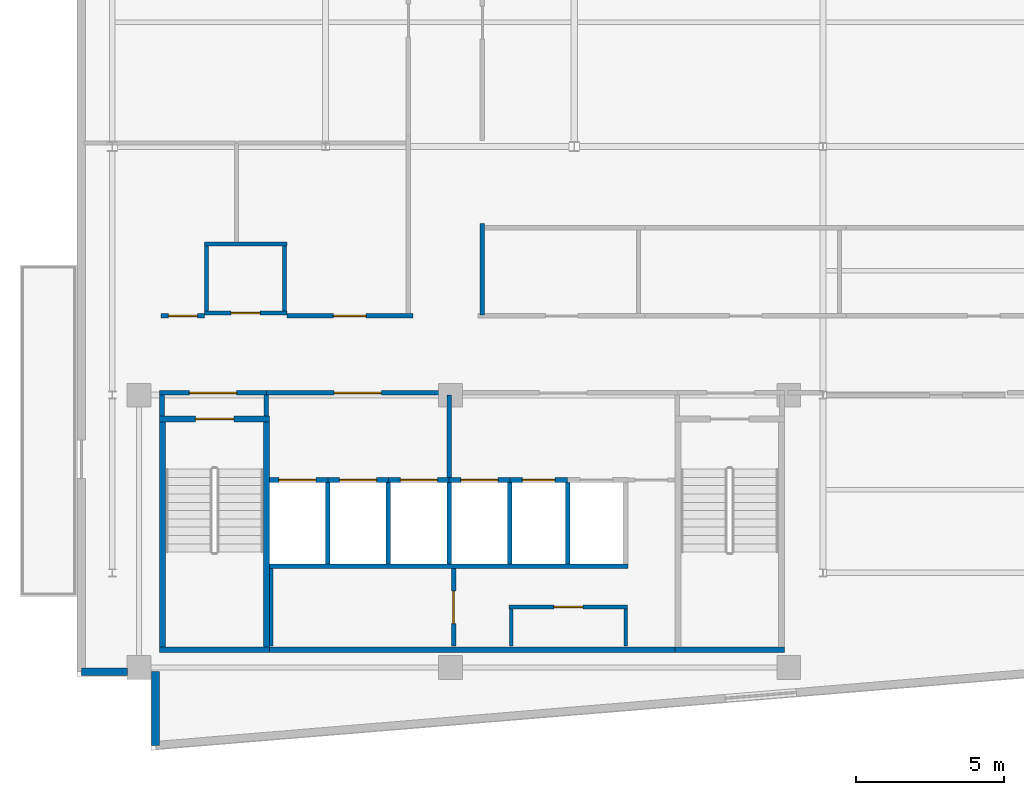
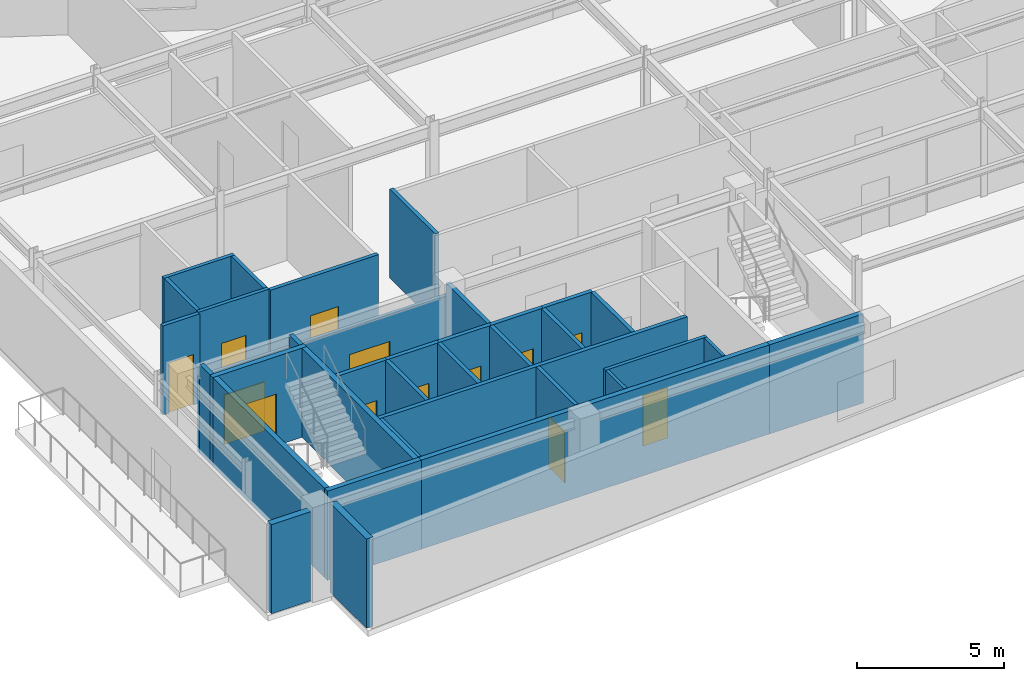
# One storey, part 14 of 19: 36 walls, 13 doors, 13 openings.
"""IFC4 building model written with IfcOpenShell, lengths in metres."""

from ifc_helpers import new_model, si_unit, direction, frame, frame_2d, origin, place, context, subcontext, project, spatial, rectangle, extrude, material, layer, layer_set, type_object, element, fill, save


model = new_model("IFC4")

# Units and contexts
model_context = context("Model", 3, precision=1e-05, world=origin(), true_north=direction((0.0, 1.0)))
body_context = subcontext(model_context, "Body", "Model", "MODEL_VIEW")
ifc_project = project(units=[si_unit("LENGTHUNIT", "METRE"), si_unit("AREAUNIT", "SQUARE_METRE"), si_unit("VOLUMEUNIT", "CUBIC_METRE"), si_unit("PLANEANGLEUNIT", "RADIAN"), si_unit("MASSUNIT", "GRAM", prefix="KILO")], contexts=[model_context])

# Site, building, storey
site_placement = place(None, origin())
site = spatial("IfcSite", under=ifc_project, at=site_placement, CompositionType="ELEMENT")
building_placement = place(site_placement, origin())
building = spatial("IfcBuilding", under=site, at=building_placement, Name="Varnakote Quay Hospital", CompositionType="ELEMENT")
storey_placement = place(building_placement, frame((0.0, 0.0, 240.75)))
storey = spatial("IfcBuildingStorey", under=building, at=storey_placement, Name="L59", CompositionType="ELEMENT", Elevation=240.75)

# Wall
ifc_material_1 = material(Name="Fire-rated acoustic gypsum stud wall", Category="gypsum")
ifc_layer_1 = layer(ifc_material_1, 0.159912109375)
ifc_layer_set_1 = layer_set([ifc_layer_1], Name="Fire-rated acoustic gypsum stud wall")
wall_type_1 = type_object("IfcWallType", Name="WL-COMP-160", PredefinedType="PARTITIONING", material=ifc_layer_set_1)
wall_1_placement = place(storey_placement, frame((2.8798828125, 11.300048828125, 0.0), z_axis=(0.0, 0.0, 1.0), x_axis=(0.0, 1.0, 0.0)))
element("IfcWall", 1, at=wall_1_placement, inside=storey, type_object=wall_type_1, Name="L59 West Stair Vestibule West Wall", PredefinedType="PARTITIONING", context=body_context, shape_type="SweptSolid", body=[
    extrude(rectangle(XDim=0.699951171875, YDim=0.159912109375, at=frame_2d((0.35009765625, 0.0))), origin(), (0.0, 0.0, 1.0), 3.7099609375),
])

# Wall, opening, door
wall_2_placement = place(storey_placement, frame((2.800048828125, 12.080078125, 0.0), z_axis=(0.0, 0.0, 1.0), x_axis=(1.0, 0.0, 0.0)))
wall_2 = element("IfcWall", 2, at=wall_2_placement, inside=storey, type_object=wall_type_1, Name="L59 West Stair Vestibule Smoke Wall", PredefinedType="PARTITIONING", context=body_context, shape_type="SweptSolid", body=[
    extrude(rectangle(XDim=3.599853515625, YDim=0.159912109375, at=frame_2d((1.7998046875, 0.0))), origin(), (0.0, 0.0, 1.0), 3.156982421875),
])
opening_1_placement = place(wall_2_placement, frame((1.0, 0.0, 0.0)))
opening_1 = element("IfcOpeningElement", 3, at=opening_1_placement, cuts=wall_2, Name="Opening D-ST1L-L59", PredefinedType="OPENING", context=body_context, shape_type="SweptSolid", body=[
    extrude(rectangle(XDim=1.60009765625, YDim=2.050048828125, at=frame_2d((0.800048828125, 1.02490234375))), frame((0.0, 0.08984375, 0.0), z_axis=(0.0, -1.0, 0.0), x_axis=(1.0, 0.0, 0.0)), (0.0, 0.0, 1.0), 0.179931640625),
])
ifc_material_2 = material(Name="Fire-rated double smoke lobby door")
door_type_1 = type_object("IfcDoorType", Name="DR-LOBBY-FD60S-1600x2150", OperationType="NOTDEFINED", PredefinedType="DOOR", material=ifc_material_2)
door_1_placement = place(opening_1_placement, origin())
door_1 = element("IfcDoor", 4, at=door_1_placement, inside=storey, type_object=door_type_1, Name="L59 West Stair Vestibule Smoke Door", OperationType="DOUBLE_DOOR_SINGLE_SWING", OverallHeight=2.050048828125, OverallWidth=1.60009765625, PredefinedType="DOOR", context=body_context, shape_type="SweptSolid", body=[
    extrude(rectangle(XDim=1.60009765625, YDim=2.050048828125, at=frame_2d((0.800048828125, 1.02490234375))), frame((0.0, 0.02490234375, 0.0), z_axis=(0.0, -1.0, 0.0), x_axis=(1.0, 0.0, 0.0)), (0.0, 0.0, 1.0), 0.050048828125),
])
fill(opening_1, door_1)

# Wall
wall_3_placement = place(storey_placement, frame((6.39990234375, 11.300048828125, 0.0), z_axis=(0.0, 0.0, 1.0), x_axis=(0.0, 1.0, 0.0)))
element("IfcWall", 5, at=wall_3_placement, inside=storey, type_object=wall_type_1, Name="L59 Firefighting Lobby West Wall", PredefinedType="PARTITIONING", context=body_context, shape_type="SweptSolid", body=[
    extrude(rectangle(XDim=0.699951171875, YDim=0.159912109375, at=frame_2d((0.35009765625, 0.0))), origin(), (0.0, 0.0, 1.0), 3.7099609375),
])

# Wall, opening, door
wall_4_placement = place(storey_placement, frame((6.39990234375, 12.080078125, 0.0), z_axis=(0.0, 0.0, 1.0), x_axis=(1.0, 0.0, 0.0)))
wall_4 = element("IfcWall", 6, at=wall_4_placement, inside=storey, type_object=wall_type_1, Name="L59 Firefighting Lift Lobby Compartment Wall", PredefinedType="PARTITIONING", context=body_context, shape_type="SweptSolid", body=[
    extrude(rectangle(XDim=6.18017578125, YDim=0.159912109375, at=frame_2d((3.090087890625, 0.0))), origin(), (0.0, 0.0, 1.0), 3.156982421875),
])
opening_2_placement = place(wall_4_placement, frame((2.2900390625, 0.0, 0.0)))
opening_2 = element("IfcOpeningElement", 7, at=opening_2_placement, cuts=wall_4, Name="Opening D-FFL-L59", PredefinedType="OPENING", context=body_context, shape_type="SweptSolid", body=[
    extrude(rectangle(XDim=1.60009765625, YDim=2.050048828125, at=frame_2d((0.800048828125, 1.02490234375))), frame((0.0, 0.08984375, 0.0), z_axis=(0.0, -1.0, 0.0), x_axis=(1.0, 0.0, 0.0)), (0.0, 0.0, 1.0), 0.179931640625),
])
door_2_placement = place(opening_2_placement, origin())
door_2 = element("IfcDoor", 8, at=door_2_placement, inside=storey, type_object=door_type_1, Name="L59 Firefighting Smoke Vestibule Door", OperationType="DOUBLE_DOOR_SINGLE_SWING", OverallHeight=2.050048828125, OverallWidth=1.60009765625, PredefinedType="DOOR", context=body_context, shape_type="SweptSolid", body=[
    extrude(rectangle(XDim=1.60009765625, YDim=2.050048828125, at=frame_2d((0.800048828125, 1.02490234375))), frame((0.0, 0.02490234375, 0.0), z_axis=(0.0, -1.0, 0.0), x_axis=(1.0, 0.0, 0.0)), (0.0, 0.0, 1.0), 0.050048828125),
])
fill(opening_2, door_2)

# Walls
wall_5_placement = place(storey_placement, frame((12.580078125, 9.2099609375, 0.0), z_axis=(0.0, 0.0, 1.0), x_axis=(0.0, 1.0, 0.0)))
element("IfcWall", 9, at=wall_5_placement, inside=storey, type_object=wall_type_1, Name="L59 Firefighting to Service Lobby Wall", PredefinedType="PARTITIONING", context=body_context, shape_type="SweptSolid", body=[
    extrude(rectangle(XDim=2.7900390625, YDim=0.159912109375, at=frame_2d((1.39501953125, 0.0))), origin(), (0.0, 0.0, 1.0), 3.7099609375),
])
ifc_material_3 = material(Name="Concrete N50 (f'c 50 MPa)", Category="concrete")
ifc_layer_2 = layer(ifc_material_3, 0.199951171875)
ifc_layer_set_2 = layer_set([ifc_layer_2], Name="Concrete N50 (f'c 50 MPa)")
wall_type_2 = type_object("IfcWallType", Name="WL-CORE-N50-200", PredefinedType="SHEAR", material=ifc_layer_set_2)
wall_6_placement = place(storey_placement, frame((6.5, 3.39990234375, 0.0), z_axis=(0.0, 0.0, 1.0), x_axis=(1.0, 0.0, 0.0)))
element("IfcWall", 10, at=wall_6_placement, inside=storey, type_object=wall_type_2, Name="L59 Rear Core South Shear Wall", PredefinedType="SHEAR", context=body_context, shape_type="SweptSolid", body=[
    extrude(rectangle(XDim=13.699951171875, YDim=0.199951171875, at=frame_2d((6.85009765625, 0.0))), origin(), (0.0, 0.0, 1.0), 3.7099609375),
])
ifc_material_4 = material(Name="Precast concrete N50 (f'c 50 MPa)", Category="concrete")
ifc_layer_3 = layer(ifc_material_4, 0.260009765625)
ifc_layer_set_3 = layer_set([ifc_layer_3], Name="Precast concrete N50 (f'c 50 MPa)")
wall_type_3 = type_object("IfcWallType", Name="WL-EXT-BRICK-260", PredefinedType="STANDARD", material=ifc_layer_set_3)
wall_7_placement = place(storey_placement, frame((2.659912109375, 2.659912109375, 0.0), z_axis=(0.0, 0.0, 1.0), x_axis=(0.0, -1.0, 0.0)))
element("IfcWall", 11, at=wall_7_placement, inside=storey, type_object=wall_type_3, Name="L59 Brick-Faced Precast Exterior Wall", PredefinedType="STANDARD", context=body_context, shape_type="SweptSolid", body=[
    extrude(rectangle(XDim=2.486328125, YDim=0.260009765625, at=frame_2d((1.2431640625, 0.0))), origin(), (0.0, 0.0, 1.0), 3.7099609375),
])
wall_8_placement = place(storey_placement, frame((0.159912109375, 2.659912109375, 0.0), z_axis=(0.0, 0.0, 1.0), x_axis=(1.0, 0.0, 0.0)))
element("IfcWall", 12, at=wall_8_placement, inside=storey, type_object=wall_type_3, Name="L59 Brick-Faced Precast Exterior Wall", PredefinedType="STANDARD", context=body_context, shape_type="SweptSolid", body=[
    extrude(rectangle(XDim=1.55517578125, YDim=0.260009765625, at=frame_2d((0.777587890625, 0.0))), origin(), (0.0, 0.0, 1.0), 3.7099609375),
])
ifc_material_5 = material(Name="Concrete N50 (f'c 50 MPa)", Category="concrete")
ifc_layer_4 = layer(ifc_material_5, 0.14990234375)
ifc_layer_set_4 = layer_set([ifc_layer_4], Name="Concrete N50 (f'c 50 MPa)")
wall_type_4 = type_object("IfcWallType", Name="WL-SHAFT-N50-150", PredefinedType="SHEAR", material=ifc_layer_set_4)
for number, where, z_axis, x_axis, name in (
    (13, (8.47509765625, 6.300048828125, 0.0), (0.0, 0.0, 1.0), (0.0, 1.0, 0.0), "L59 LF-FF1 Hoistway Divider Wall"),
    (14, (10.52490234375, 6.300048828125, 0.0), (0.0, 0.0, 1.0), (0.0, 1.0, 0.0), "L59 LF-FF2 Hoistway Divider Wall"),
    (15, (12.574951171875, 6.300048828125, 0.0), (0.0, 0.0, 1.0), (0.0, 1.0, 0.0), "L59 LF-SV1 Hoistway Divider Wall"),
    (16, (14.625, 6.300048828125, 0.0), (0.0, 0.0, 1.0), (0.0, 1.0, 0.0), "L59 LF-SV2 Hoistway Divider Wall"),
    (17, (16.574951171875, 6.300048828125, 0.0), (0.0, 0.0, 1.0), (0.0, 1.0, 0.0), "L59 LF-PH1 Hoistway Divider Wall"),
):
    element("IfcWall", number, at=place(storey_placement, frame(where, z_axis=z_axis, x_axis=x_axis)), inside=storey, type_object=wall_type_4, Name=name, PredefinedType="SHEAR", context=body_context, shape_type="SweptSolid", body=[
        extrude(rectangle(XDim=2.75, YDim=0.14990234375, at=frame_2d((1.375, 0.0))), origin(), (0.0, 0.0, 1.0), 3.7099609375),
    ])
ifc_material_6 = material(Name="Concrete N50 (f'c 50 MPa)", Category="concrete")
ifc_layer_5 = layer(ifc_material_6, 0.159912109375)
ifc_layer_set_5 = layer_set([ifc_layer_5], Name="Concrete N50 (f'c 50 MPa)")
wall_type_5 = type_object("IfcWallType", Name="WL-SHAFT-N50-160", PredefinedType="SHEAR", material=ifc_layer_set_5)
wall_9_placement = place(storey_placement, frame((6.5, 6.219970703125, 0.0), z_axis=(0.0, 0.0, 1.0), x_axis=(1.0, 0.0, 0.0)))
element("IfcWall", 18, at=wall_9_placement, inside=storey, type_object=wall_type_5, Name="L59 REAR Lift Bank Back Shear Wall", PredefinedType="SHEAR", context=body_context, shape_type="SweptSolid", body=[
    extrude(rectangle(XDim=12.110107421875, YDim=0.159912109375, at=frame_2d((6.05517578125, 0.0))), origin(), (0.0, 0.0, 1.0), 3.7099609375),
])

# Wall, opening, door
wall_10_placement = place(storey_placement, frame((6.5, 9.1298828125, 0.0), z_axis=(0.0, 0.0, 1.0), x_axis=(1.0, 0.0, 0.0)))
wall_10 = element("IfcWall", 19, at=wall_10_placement, inside=storey, type_object=wall_type_5, Name="L59 LF-FF1 Hoistway Front Wall", PredefinedType="SHEAR", context=body_context, shape_type="SweptSolid", body=[
    extrude(rectangle(XDim=1.97509765625, YDim=0.159912109375, at=frame_2d((0.987548828125, 0.0))), origin(), (0.0, 0.0, 1.0), 3.7099609375),
])
opening_3_placement = place(wall_10_placement, frame((0.324951171875, 0.0, 0.0)))
opening_3 = element("IfcOpeningElement", 20, at=opening_3_placement, cuts=wall_10, Name="Opening LD-FF1-L59", PredefinedType="OPENING", context=body_context, shape_type="SweptSolid", body=[
    extrude(rectangle(XDim=1.25, YDim=2.14990234375, at=frame_2d((0.625, 1.074951171875))), frame((0.0, 0.08984375, 0.0), z_axis=(0.0, -1.0, 0.0), x_axis=(1.0, 0.0, 0.0)), (0.0, 0.0, 1.0), 0.179931640625),
])
ifc_material_7 = material(Name="Stainless steel lift landing sliding door", Category="steel")
door_type_2 = type_object("IfcDoorType", Name="DR-LIFT-LD-1250x2150", OperationType="NOTDEFINED", PredefinedType="DOOR", material=ifc_material_7)
door_3_placement = place(opening_3_placement, origin())
door_3 = element("IfcDoor", 21, at=door_3_placement, inside=storey, type_object=door_type_2, Name="L59 LF-FF1 Lift Landing Sliding Door", OperationType="SLIDING_TO_LEFT", OverallHeight=2.14990234375, OverallWidth=1.25, PredefinedType="DOOR", context=body_context, shape_type="SweptSolid", body=[
    extrude(rectangle(XDim=1.25, YDim=2.14990234375, at=frame_2d((0.625, 1.074951171875))), frame((0.0, 0.02490234375, 0.0), z_axis=(0.0, -1.0, 0.0), x_axis=(1.0, 0.0, 0.0)), (0.0, 0.0, 1.0), 0.050048828125),
])
fill(opening_3, door_3)

wall_11_placement = place(storey_placement, frame((8.47509765625, 9.1298828125, 0.0), z_axis=(0.0, 0.0, 1.0), x_axis=(1.0, 0.0, 0.0)))
wall_11 = element("IfcWall", 22, at=wall_11_placement, inside=storey, type_object=wall_type_5, Name="L59 LF-FF2 Hoistway Front Wall", PredefinedType="SHEAR", context=body_context, shape_type="SweptSolid", body=[
    extrude(rectangle(XDim=2.0498046875, YDim=0.159912109375, at=frame_2d((1.02490234375, 0.0))), origin(), (0.0, 0.0, 1.0), 3.7099609375),
])
opening_4_placement = place(wall_11_placement, frame((0.39990234375, 0.0, 0.0)))
opening_4 = element("IfcOpeningElement", 23, at=opening_4_placement, cuts=wall_11, Name="Opening LD-FF2-L59", PredefinedType="OPENING", context=body_context, shape_type="SweptSolid", body=[
    extrude(rectangle(XDim=1.25, YDim=2.14990234375, at=frame_2d((0.625, 1.074951171875))), frame((0.0, 0.08984375, 0.0), z_axis=(0.0, -1.0, 0.0), x_axis=(1.0, 0.0, 0.0)), (0.0, 0.0, 1.0), 0.179931640625),
])
door_4_placement = place(opening_4_placement, origin())
door_4 = element("IfcDoor", 24, at=door_4_placement, inside=storey, type_object=door_type_2, Name="L59 LF-FF2 Lift Landing Sliding Door", OperationType="SLIDING_TO_LEFT", OverallHeight=2.14990234375, OverallWidth=1.25, PredefinedType="DOOR", context=body_context, shape_type="SweptSolid", body=[
    extrude(rectangle(XDim=1.25, YDim=2.14990234375, at=frame_2d((0.625, 1.074951171875))), frame((0.0, 0.02490234375, 0.0), z_axis=(0.0, -1.0, 0.0), x_axis=(1.0, 0.0, 0.0)), (0.0, 0.0, 1.0), 0.050048828125),
])
fill(opening_4, door_4)

wall_12_placement = place(storey_placement, frame((10.52490234375, 9.1298828125, 0.0), z_axis=(0.0, 0.0, 1.0), x_axis=(1.0, 0.0, 0.0)))
wall_12 = element("IfcWall", 25, at=wall_12_placement, inside=storey, type_object=wall_type_5, Name="L59 LF-SV1 Hoistway Front Wall", PredefinedType="SHEAR", context=body_context, shape_type="SweptSolid", body=[
    extrude(rectangle(XDim=2.050048828125, YDim=0.159912109375, at=frame_2d((1.02490234375, 0.0))), origin(), (0.0, 0.0, 1.0), 3.7099609375),
])
opening_5_placement = place(wall_12_placement, frame((0.39990234375, 0.0, 0.0)))
opening_5 = element("IfcOpeningElement", 26, at=opening_5_placement, cuts=wall_12, Name="Opening LD-SV1-L59", PredefinedType="OPENING", context=body_context, shape_type="SweptSolid", body=[
    extrude(rectangle(XDim=1.25, YDim=2.14990234375, at=frame_2d((0.625, 1.074951171875))), frame((0.0, 0.08984375, 0.0), z_axis=(0.0, -1.0, 0.0), x_axis=(1.0, 0.0, 0.0)), (0.0, 0.0, 1.0), 0.179931640625),
])
door_5_placement = place(opening_5_placement, origin())
door_5 = element("IfcDoor", 27, at=door_5_placement, inside=storey, type_object=door_type_2, Name="L59 LF-SV1 Lift Landing Sliding Door", OperationType="SLIDING_TO_LEFT", OverallHeight=2.14990234375, OverallWidth=1.25, PredefinedType="DOOR", context=body_context, shape_type="SweptSolid", body=[
    extrude(rectangle(XDim=1.25, YDim=2.14990234375, at=frame_2d((0.625, 1.074951171875))), frame((0.0, 0.02490234375, 0.0), z_axis=(0.0, -1.0, 0.0), x_axis=(1.0, 0.0, 0.0)), (0.0, 0.0, 1.0), 0.050048828125),
])
fill(opening_5, door_5)

wall_13_placement = place(storey_placement, frame((12.574951171875, 9.1298828125, 0.0), z_axis=(0.0, 0.0, 1.0), x_axis=(1.0, 0.0, 0.0)))
wall_13 = element("IfcWall", 28, at=wall_13_placement, inside=storey, type_object=wall_type_5, Name="L59 LF-SV2 Hoistway Front Wall", PredefinedType="SHEAR", context=body_context, shape_type="SweptSolid", body=[
    extrude(rectangle(XDim=2.050048828125, YDim=0.159912109375, at=frame_2d((1.02490234375, 0.0))), origin(), (0.0, 0.0, 1.0), 3.7099609375),
])
opening_6_placement = place(wall_13_placement, frame((0.39990234375, 0.0, 0.0)))
opening_6 = element("IfcOpeningElement", 29, at=opening_6_placement, cuts=wall_13, Name="Opening LD-SV2-L59", PredefinedType="OPENING", context=body_context, shape_type="SweptSolid", body=[
    extrude(rectangle(XDim=1.25, YDim=2.14990234375, at=frame_2d((0.625, 1.074951171875))), frame((0.0, 0.08984375, 0.0), z_axis=(0.0, -1.0, 0.0), x_axis=(1.0, 0.0, 0.0)), (0.0, 0.0, 1.0), 0.179931640625),
])
door_6_placement = place(opening_6_placement, origin())
door_6 = element("IfcDoor", 30, at=door_6_placement, inside=storey, type_object=door_type_2, Name="L59 LF-SV2 Lift Landing Sliding Door", OperationType="SLIDING_TO_LEFT", OverallHeight=2.14990234375, OverallWidth=1.25, PredefinedType="DOOR", context=body_context, shape_type="SweptSolid", body=[
    extrude(rectangle(XDim=1.25, YDim=2.14990234375, at=frame_2d((0.625, 1.074951171875))), frame((0.0, 0.02490234375, 0.0), z_axis=(0.0, -1.0, 0.0), x_axis=(1.0, 0.0, 0.0)), (0.0, 0.0, 1.0), 0.050048828125),
])
fill(opening_6, door_6)

wall_14_placement = place(storey_placement, frame((14.625, 9.1298828125, 0.0), z_axis=(0.0, 0.0, 1.0), x_axis=(1.0, 0.0, 0.0)))
wall_14 = element("IfcWall", 31, at=wall_14_placement, inside=storey, type_object=wall_type_5, Name="L59 LF-PH1 Hoistway Front Wall", PredefinedType="SHEAR", context=body_context, shape_type="SweptSolid", body=[
    extrude(rectangle(XDim=1.949951171875, YDim=0.159912109375, at=frame_2d((0.97509765625, 0.0))), origin(), (0.0, 0.0, 1.0), 3.7099609375),
])
opening_7_placement = place(wall_14_placement, frame((0.425048828125, 0.0, 0.0)))
opening_7 = element("IfcOpeningElement", 32, at=opening_7_placement, cuts=wall_14, Name="Opening LD-PH1-L59", PredefinedType="OPENING", context=body_context, shape_type="SweptSolid", body=[
    extrude(rectangle(XDim=1.10009765625, YDim=2.14990234375, at=frame_2d((0.550048828125, 1.074951171875))), frame((0.0, 0.08984375, 0.0), z_axis=(0.0, -1.0, 0.0), x_axis=(1.0, 0.0, 0.0)), (0.0, 0.0, 1.0), 0.179931640625),
])
ifc_material_8 = material(Name="Brushed bronze lift landing sliding door")
door_type_3 = type_object("IfcDoorType", Name="DR-LIFT-LD-1100x2150", OperationType="NOTDEFINED", PredefinedType="DOOR", material=ifc_material_8)
door_7_placement = place(opening_7_placement, origin())
door_7 = element("IfcDoor", 33, at=door_7_placement, inside=storey, type_object=door_type_3, Name="L59 LF-PH1 Lift Landing Sliding Door", OperationType="SLIDING_TO_LEFT", OverallHeight=2.14990234375, OverallWidth=1.10009765625, PredefinedType="DOOR", context=body_context, shape_type="SweptSolid", body=[
    extrude(rectangle(XDim=1.10009765625, YDim=2.14990234375, at=frame_2d((0.550048828125, 1.074951171875))), frame((0.0, 0.02490234375, 0.0), z_axis=(0.0, -1.0, 0.0), x_axis=(1.0, 0.0, 0.0)), (0.0, 0.0, 1.0), 0.050048828125),
])
fill(opening_7, door_7)

# Walls
ifc_material_9 = material(Name="Concrete N50 (f'c 50 MPa)", Category="concrete")
ifc_layer_6 = layer(ifc_material_9, 0.199951171875)
ifc_layer_set_6 = layer_set([ifc_layer_6], Name="Concrete N50 (f'c 50 MPa)")
wall_type_6 = type_object("IfcWallType", Name="WL-SHAFT-N50-200", PredefinedType="SHEAR", material=ifc_layer_set_6)
wall_15_placement = place(storey_placement, frame((2.800048828125, 3.39990234375, 0.0), z_axis=(0.0, 0.0, 1.0), x_axis=(1.0, 0.0, 0.0)))
element("IfcWall", 34, at=wall_15_placement, inside=storey, type_object=wall_type_6, Name="L59 Stair ST1 South Shaft Wall", PredefinedType="SHEAR", context=body_context, shape_type="SweptSolid", body=[
    extrude(rectangle(XDim=3.699951171875, YDim=0.199951171875, at=frame_2d((1.85009765625, 0.0))), origin(), (0.0, 0.0, 1.0), 3.7099609375),
])
for number, where, z_axis, x_axis, name in (
    (35, (2.89990234375, 3.5, 0.0), (0.0, 0.0, 1.0), (0.0, 1.0, 0.0), "L59 Stair ST1 West Shaft Wall"),
    (36, (6.39990234375, 3.5, 0.0), (0.0, 0.0, 1.0), (0.0, 1.0, 0.0), "L59 Stair ST1 East Shaft Wall"),
):
    element("IfcWall", number, at=place(storey_placement, frame(where, z_axis=z_axis, x_axis=x_axis)), inside=storey, type_object=wall_type_6, Name=name, PredefinedType="SHEAR", context=body_context, shape_type="SweptSolid", body=[
        extrude(rectangle(XDim=7.60009765625, YDim=0.199951171875, at=frame_2d((3.800048828125, 0.0))), origin(), (0.0, 0.0, 1.0), 3.7099609375),
    ])

# Wall, opening, door
wall_16_placement = place(storey_placement, frame((2.800048828125, 11.199951171875, 0.0), z_axis=(0.0, 0.0, 1.0), x_axis=(1.0, 0.0, 0.0)))
wall_16 = element("IfcWall", 37, at=wall_16_placement, inside=storey, type_object=wall_type_6, Name="L59 Stair ST1 Exit Wall", PredefinedType="SHEAR", context=body_context, shape_type="SweptSolid", body=[
    extrude(rectangle(XDim=3.699951171875, YDim=0.199951171875, at=frame_2d((1.85009765625, 0.0))), origin(), (0.0, 0.0, 1.0), 3.7099609375),
])
opening_8_placement = place(wall_16_placement, frame((1.199951171875, 0.0, 0.0)))
opening_8 = element("IfcOpeningElement", 38, at=opening_8_placement, cuts=wall_16, Name="Opening D-ST1-L59", PredefinedType="OPENING", context=body_context, shape_type="SweptSolid", body=[
    extrude(rectangle(XDim=1.300048828125, YDim=2.14990234375, at=frame_2d((0.64990234375, 1.074951171875))), frame((0.0, 0.10986328125, 0.0), z_axis=(0.0, -1.0, 0.0), x_axis=(1.0, 0.0, 0.0)), (0.0, 0.0, 1.0), 0.219970703125),
])
ifc_material_10 = material(Name="Fire-rated ceramic-glazed timber exit door", Category="wood")
door_type_4 = type_object("IfcDoorType", Name="DR-STAIR-FD60S-1300x2150", OperationType="NOTDEFINED", PredefinedType="DOOR", material=ifc_material_10)
door_8_placement = place(opening_8_placement, origin())
door_8 = element("IfcDoor", 39, at=door_8_placement, inside=storey, type_object=door_type_4, Name="L59 Stair ST1 Fire Exit Door", OperationType="SINGLE_SWING_LEFT", OverallHeight=2.14990234375, OverallWidth=1.300048828125, PredefinedType="DOOR", context=body_context, shape_type="SweptSolid", body=[
    extrude(rectangle(XDim=1.300048828125, YDim=2.14990234375, at=frame_2d((0.64990234375, 1.074951171875))), frame((0.0, 0.02490234375, 0.0), z_axis=(0.0, -1.0, 0.0), x_axis=(1.0, 0.0, 0.0)), (0.0, 0.0, 1.0), 0.050048828125),
])
fill(opening_8, door_8)

# Walls
wall_17_placement = place(storey_placement, frame((20.199951171875, 3.39990234375, 0.0), z_axis=(0.0, 0.0, 1.0), x_axis=(1.0, 0.0, 0.0)))
element("IfcWall", 40, at=wall_17_placement, inside=storey, type_object=wall_type_6, Name="L59 Stair ST2 South Shaft Wall", PredefinedType="SHEAR", context=body_context, shape_type="SweptSolid", body=[
    extrude(rectangle(XDim=3.699951171875, YDim=0.199951171875, at=frame_2d((1.85009765625, 0.0))), origin(), (0.0, 0.0, 1.0), 3.7099609375),
])
ifc_material_11 = material(Name="Smoke-proof clinical partition", Category="gypsum")
ifc_layer_7 = layer(ifc_material_11, 0.1201171875)
ifc_layer_set_7 = layer_set([ifc_layer_7], Name="Smoke-proof clinical partition")
wall_type_7 = type_object("IfcWallType", Name="WL-SMOKE-120", PredefinedType="PARTITIONING", material=ifc_layer_set_7)
wall_18_placement = place(storey_placement, frame((6.56005859375, 3.52001953125, 0.0), z_axis=(0.0, 0.0, 1.0), x_axis=(0.0, 1.0, 0.0)))
element("IfcWall", 41, at=wall_18_placement, inside=storey, type_object=wall_type_7, Name="L59 Core West Store West Wall", PredefinedType="PARTITIONING", context=body_context, shape_type="SweptSolid", body=[
    extrude(rectangle(XDim=2.619873046875, YDim=0.1201171875, at=frame_2d((1.31005859375, 0.0))), origin(), (0.0, 0.0, 1.0), 3.7099609375),
])
for number, where, z_axis, x_axis, name in (
    (42, (14.669921875, 3.52001953125, 0.0), (0.0, 0.0, 1.0), (0.0, 1.0, 0.0), "L59 Core WC West Wall"),
    (43, (18.5400390625, 3.52001953125, 0.0), (0.0, 0.0, 1.0), (0.0, 1.0, 0.0), "L59 Core WC East Wall"),
):
    element("IfcWall", number, at=place(storey_placement, frame(where, z_axis=z_axis, x_axis=x_axis)), inside=storey, type_object=wall_type_7, Name=name, PredefinedType="PARTITIONING", context=body_context, shape_type="SweptSolid", body=[
        extrude(rectangle(XDim=1.260009765625, YDim=0.1201171875, at=frame_2d((0.6298828125, 0.0))), origin(), (0.0, 0.0, 1.0), 3.7099609375),
    ])

# Wall, opening, door
ifc_material_12 = material(Name="Fire-rated clinical gypsum partition", Category="gypsum")
ifc_layer_8 = layer(ifc_material_12, 0.139892578125)
ifc_layer_set_8 = layer_set([ifc_layer_8], Name="Fire-rated clinical gypsum partition")
wall_type_8 = type_object("IfcWallType", Name="WL-WARD-140", PredefinedType="PARTITIONING", material=ifc_layer_set_8)
wall_19_placement = place(storey_placement, frame((12.72998046875, 3.52001953125, 0.0), z_axis=(0.0, 0.0, 1.0), x_axis=(0.0, 1.0, 0.0)))
wall_19 = element("IfcWall", 44, at=wall_19_placement, inside=storey, type_object=wall_type_8, Name="L59 Core Clean Equipment Store East Wall", PredefinedType="PARTITIONING", context=body_context, shape_type="SweptSolid", body=[
    extrude(rectangle(XDim=2.619873046875, YDim=0.139892578125, at=frame_2d((1.31005859375, 0.0))), origin(), (0.0, 0.0, 1.0), 3.7099609375),
])
opening_9_placement = place(wall_19_placement, frame((0.760009765625, 0.0, 0.0)))
opening_9 = element("IfcOpeningElement", 45, at=opening_9_placement, cuts=wall_19, Name="Opening D-L59-CR01", PredefinedType="OPENING", context=body_context, shape_type="SweptSolid", body=[
    extrude(rectangle(XDim=1.10009765625, YDim=2.10009765625, at=frame_2d((0.550048828125, 1.050048828125))), frame((0.0, 0.079833984375, 0.0), z_axis=(0.0, -1.0, 0.0), x_axis=(1.0, 0.0, 0.0)), (0.0, 0.0, 1.0), 0.159912109375),
])
ifc_material_13 = material(Name="Acoustic timber clinical consult door", Category="wood")
door_type_5 = type_object("IfcDoorType", Name="DR-CLIN-FD30S-1100x2100", OperationType="NOTDEFINED", PredefinedType="DOOR", material=ifc_material_13)
door_9_placement = place(opening_9_placement, origin())
door_9 = element("IfcDoor", 46, at=door_9_placement, inside=storey, type_object=door_type_5, Name="L59 Core Clean Equipment Store Door", OperationType="SINGLE_SWING_LEFT", OverallHeight=2.10009765625, OverallWidth=1.10009765625, PredefinedType="DOOR", context=body_context, shape_type="SweptSolid", body=[
    extrude(rectangle(XDim=1.10009765625, YDim=2.10009765625, at=frame_2d((0.550048828125, 1.050048828125))), frame((0.0, 0.02490234375, 0.0), z_axis=(0.0, -1.0, 0.0), x_axis=(1.0, 0.0, 0.0)), (0.0, 0.0, 1.0), 0.050048828125),
])
fill(opening_9, door_9)

wall_20_placement = place(storey_placement, frame((14.60009765625, 4.85009765625, 0.0), z_axis=(0.0, 0.0, 1.0), x_axis=(1.0, 0.0, 0.0)))
wall_20 = element("IfcWall", 47, at=wall_20_placement, inside=storey, type_object=wall_type_8, Name="L59 Core Staff Sanitary WC North Wall", PredefinedType="PARTITIONING", context=body_context, shape_type="SweptSolid", body=[
    extrude(rectangle(XDim=4.0, YDim=0.139892578125, at=frame_2d((2.0, 0.0))), origin(), (0.0, 0.0, 1.0), 3.7099609375),
])
opening_10_placement = place(wall_20_placement, frame((1.510009765625, 0.0, 0.0)))
opening_10 = element("IfcOpeningElement", 48, at=opening_10_placement, cuts=wall_20, Name="Opening D-L59-CR02", PredefinedType="OPENING", context=body_context, shape_type="SweptSolid", body=[
    extrude(rectangle(XDim=0.97998046875, YDim=2.10009765625, at=frame_2d((0.489990234375, 1.050048828125))), frame((0.0, 0.079833984375, 0.0), z_axis=(0.0, -1.0, 0.0), x_axis=(1.0, 0.0, 0.0)), (0.0, 0.0, 1.0), 0.159912109375),
])
ifc_material_14 = material(Name="Accessible sanitary compartment door")
door_type_6 = type_object("IfcDoorType", Name="DR-WC-980x2100", OperationType="NOTDEFINED", PredefinedType="DOOR", material=ifc_material_14)
door_10_placement = place(opening_10_placement, origin())
door_10 = element("IfcDoor", 49, at=door_10_placement, inside=storey, type_object=door_type_6, Name="L59 Core Staff Sanitary WC Door", OperationType="SINGLE_SWING_RIGHT", OverallHeight=2.10009765625, OverallWidth=0.97998046875, PredefinedType="DOOR", context=body_context, shape_type="SweptSolid", body=[
    extrude(rectangle(XDim=0.97998046875, YDim=2.10009765625, at=frame_2d((0.489990234375, 1.050048828125))), frame((0.0, 0.02490234375, 0.0), z_axis=(0.0, -1.0, 0.0), x_axis=(1.0, 0.0, 0.0)), (0.0, 0.0, 1.0), 0.050048828125),
])
fill(opening_10, door_10)

wall_21_placement = place(storey_placement, frame((4.31005859375, 14.77001953125, 0.0), z_axis=(0.0, 0.0, 1.0), x_axis=(1.0, 0.0, 0.0)))
wall_21 = element("IfcWall", 50, at=wall_21_placement, inside=storey, type_object=wall_type_8, Name="L59 Floor Unisex Accessible WC S Wall", PredefinedType="PARTITIONING", context=body_context, shape_type="SweptSolid", body=[
    extrude(rectangle(XDim=2.780029296875, YDim=0.139892578125, at=frame_2d((1.39013671875, 0.0))), origin(), (0.0, 0.0, 1.0), 3.7099609375),
])
opening_11_placement = place(wall_21_placement, frame((0.89990234375, 0.0, 0.0)))
opening_11 = element("IfcOpeningElement", 51, at=opening_11_placement, cuts=wall_21, Name="Opening D-L59-EW01", PredefinedType="OPENING", context=body_context, shape_type="SweptSolid", body=[
    extrude(rectangle(XDim=0.97998046875, YDim=2.10009765625, at=frame_2d((0.489990234375, 1.050048828125))), frame((0.0, 0.079833984375, 0.0), z_axis=(0.0, -1.0, 0.0), x_axis=(1.0, 0.0, 0.0)), (0.0, 0.0, 1.0), 0.159912109375),
])
door_11_placement = place(opening_11_placement, origin())
door_11 = element("IfcDoor", 52, at=door_11_placement, inside=storey, type_object=door_type_6, Name="L59 Floor Unisex Accessible WC Door", OperationType="SINGLE_SWING_RIGHT", OverallHeight=2.10009765625, OverallWidth=0.97998046875, PredefinedType="DOOR", context=body_context, shape_type="SweptSolid", body=[
    extrude(rectangle(XDim=0.97998046875, YDim=2.10009765625, at=frame_2d((0.489990234375, 1.050048828125))), frame((0.0, 0.02490234375, 0.0), z_axis=(0.0, -1.0, 0.0), x_axis=(1.0, 0.0, 0.0)), (0.0, 0.0, 1.0), 0.050048828125),
])
fill(opening_11, door_11)

# Walls
wall_22_placement = place(storey_placement, frame((4.31005859375, 17.110107421875, 0.0), z_axis=(0.0, 0.0, 1.0), x_axis=(1.0, 0.0, 0.0)))
element("IfcWall", 53, at=wall_22_placement, inside=storey, type_object=wall_type_8, Name="L59 Floor Unisex Accessible WC N Wall", PredefinedType="PARTITIONING", context=body_context, shape_type="SweptSolid", body=[
    extrude(rectangle(XDim=2.780029296875, YDim=0.139892578125, at=frame_2d((1.39013671875, 0.0))), origin(), (0.0, 0.0, 1.0), 3.7099609375),
])
for number, where, z_axis, x_axis, name in (
    (54, (4.3798828125, 14.840087890625, 0.0), (0.0, 0.0, 1.0), (0.0, 1.0, 0.0), "L59 Floor Unisex Accessible WC W Wall"),
    (55, (7.02001953125, 14.840087890625, 0.0), (0.0, 0.0, 1.0), (0.0, 1.0, 0.0), "L59 Floor Unisex Accessible WC E Wall"),
):
    element("IfcWall", number, at=place(storey_placement, frame(where, z_axis=z_axis, x_axis=x_axis)), inside=storey, type_object=wall_type_8, Name=name, PredefinedType="PARTITIONING", context=body_context, shape_type="SweptSolid", body=[
        extrude(rectangle(XDim=2.199951171875, YDim=0.139892578125, at=frame_2d((1.10009765625, 0.0))), origin(), (0.0, 0.0, 1.0), 3.7099609375),
    ])

# Wall, opening, door
ifc_material_15 = material(Name="Fire-rated clinical gypsum partition", Category="gypsum")
ifc_layer_9 = layer(ifc_material_15, 0.14990234375)
ifc_layer_set_9 = layer_set([ifc_layer_9], Name="Fire-rated clinical gypsum partition")
wall_type_9 = type_object("IfcWallType", Name="WL-WARD-150", PredefinedType="PARTITIONING", material=ifc_layer_set_9)
wall_23_placement = place(storey_placement, frame((4.30810546875, 14.679931640625, 0.0), z_axis=(0.0, 0.0, 1.0), x_axis=(-1.0, 0.0, 0.0)))
wall_23 = element("IfcWall", 56, at=wall_23_placement, inside=storey, type_object=wall_type_9, Name="L59 Clinical Interior Partition", PredefinedType="PARTITIONING", context=body_context, shape_type="SweptSolid", body=[
    extrude(rectangle(XDim=1.4580078125, YDim=0.14990234375, at=frame_2d((0.72900390625, 0.0))), origin(), (0.0, 0.0, 1.0), 3.7099609375),
])
opening_12_placement = place(wall_23_placement, frame((0.239013671875, 0.0, 0.0)))
opening_12 = element("IfcOpeningElement", 57, at=opening_12_placement, cuts=wall_23, Name="Opening D-L59-DLNG", PredefinedType="OPENING", context=body_context, shape_type="SweptSolid", body=[
    extrude(rectangle(XDim=0.97998046875, YDim=2.10009765625, at=frame_2d((0.489990234375, 1.050048828125))), frame((0.0, 0.0849609375, 0.0), z_axis=(0.0, -1.0, 0.0), x_axis=(1.0, 0.0, 0.0)), (0.0, 0.0, 1.0), 0.169921875),
])
door_12_placement = place(opening_12_placement, origin())
door_12 = element("IfcDoor", 58, at=door_12_placement, inside=storey, type_object=door_type_6, Name="L59 Waterfront Patient & Family Dayroom Door", OperationType="SINGLE_SWING_RIGHT", OverallHeight=2.10009765625, OverallWidth=0.97998046875, PredefinedType="DOOR", context=body_context, shape_type="SweptSolid", body=[
    extrude(rectangle(XDim=0.97998046875, YDim=2.10009765625, at=frame_2d((0.489990234375, 1.050048828125))), frame((0.0, 0.02490234375, 0.0), z_axis=(0.0, -1.0, 0.0), x_axis=(1.0, 0.0, 0.0)), (0.0, 0.0, 1.0), 0.050048828125),
])
fill(opening_12, door_12)

wall_24_placement = place(storey_placement, frame((11.345947265625, 14.679931640625, 0.0), z_axis=(0.0, 0.0, 1.0), x_axis=(-1.0, 0.0, 0.0)))
wall_24 = element("IfcWall", 59, at=wall_24_placement, inside=storey, type_object=wall_type_9, Name="L59 Clinical Interior Partition", PredefinedType="PARTITIONING", context=body_context, shape_type="SweptSolid", body=[
    extrude(rectangle(XDim=4.25390625, YDim=0.14990234375, at=frame_2d((2.126953125, 0.0))), origin(), (0.0, 0.0, 1.0), 3.7099609375),
])
opening_13_placement = place(wall_24_placement, frame((1.576904296875, 0.0, 0.0)))
opening_13 = element("IfcOpeningElement", 60, at=opening_13_placement, cuts=wall_24, Name="Opening D-L59-MD01", PredefinedType="OPENING", context=body_context, shape_type="SweptSolid", body=[
    extrude(rectangle(XDim=1.10009765625, YDim=2.10009765625, at=frame_2d((0.550048828125, 1.050048828125))), frame((0.0, 0.0849609375, 0.0), z_axis=(0.0, -1.0, 0.0), x_axis=(1.0, 0.0, 0.0)), (0.0, 0.0, 1.0), 0.169921875),
])
door_13_placement = place(opening_13_placement, origin())
door_13 = element("IfcDoor", 61, at=door_13_placement, inside=storey, type_object=door_type_5, Name="L59 Multidisciplinary Clinical Consultation Suite Door", OperationType="SINGLE_SWING_LEFT", OverallHeight=2.10009765625, OverallWidth=1.10009765625, PredefinedType="DOOR", context=body_context, shape_type="SweptSolid", body=[
    extrude(rectangle(XDim=1.10009765625, YDim=2.10009765625, at=frame_2d((0.550048828125, 1.050048828125))), frame((0.0, 0.02490234375, 0.0), z_axis=(0.0, -1.0, 0.0), x_axis=(1.0, 0.0, 0.0)), (0.0, 0.0, 1.0), 0.050048828125),
])
fill(opening_13, door_13)

# Wall
wall_25_placement = place(storey_placement, frame((13.699951171875, 14.699951171875, 0.0), z_axis=(0.0, 0.0, 1.0), x_axis=(0.0, 1.0, 0.0)))
element("IfcWall", 62, at=wall_25_placement, inside=storey, type_object=wall_type_9, Name="L59 Clinical Interior Partition", PredefinedType="PARTITIONING", context=body_context, shape_type="SweptSolid", body=[
    extrude(rectangle(XDim=3.095947265625, YDim=0.14990234375, at=frame_2d((1.5478515625, 0.0))), origin(), (0.0, 0.0, 1.0), 3.7099609375),
])

save(model, "model.ifc")
